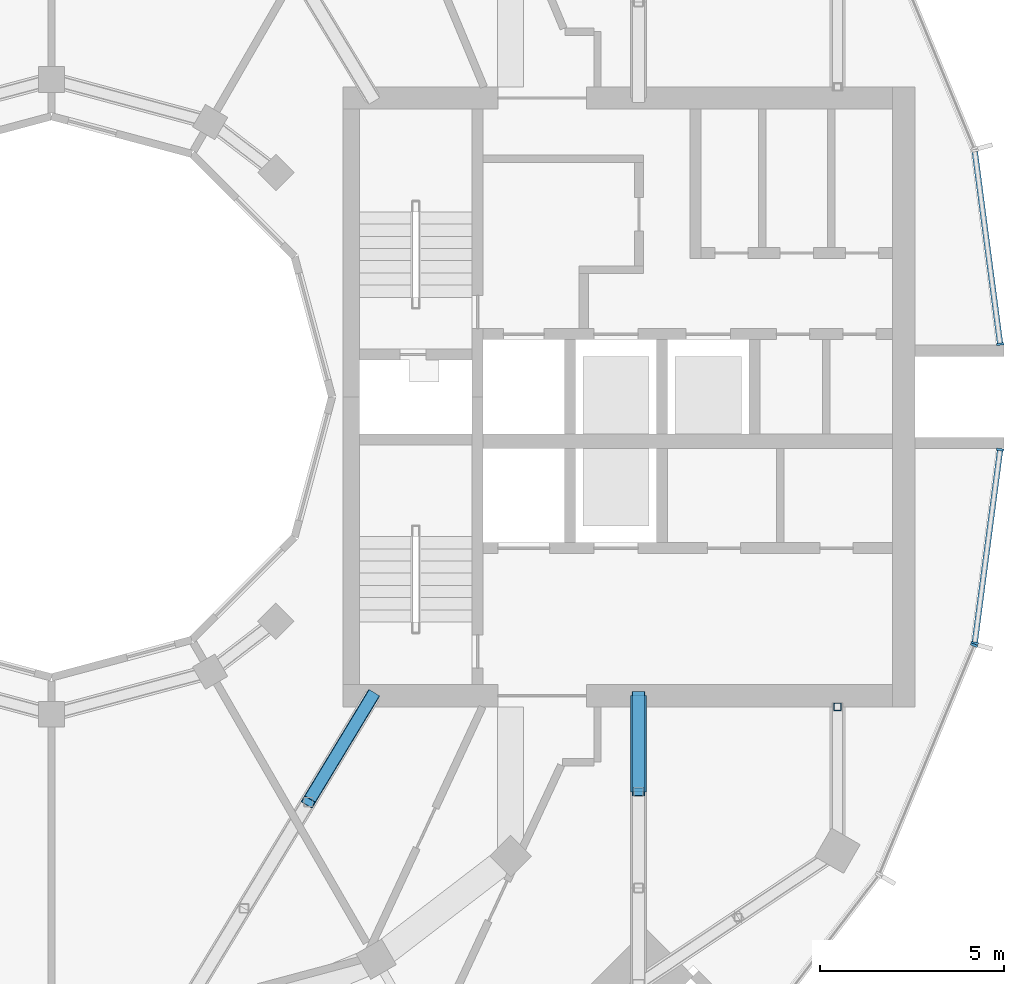
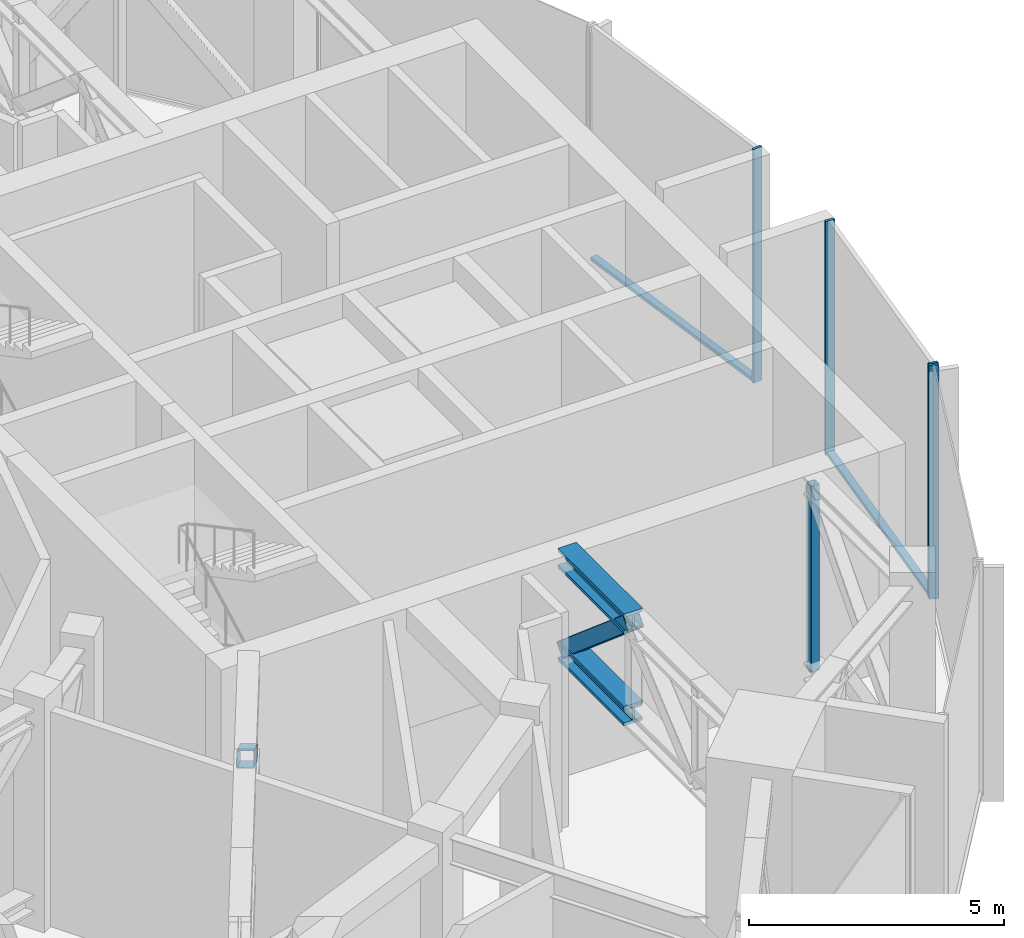
# One storey, part 6 of 18: 11 members, 3 elements without a shape of their own.
"""IFC4 building model written with IfcOpenShell, lengths in metres."""

from ifc_helpers import new_model, si_unit, direction, frame, origin, origin_2d, place, context, subcontext, project, spatial, rectangle, hollow_rectangle, i_section, extrude, material, layer, layer_set, material_profile, profile_set, type_object, element, aggregate, save


model = new_model("IFC4")

# Units and contexts
model_context = context("Model", 3, precision=1e-05, world=origin(), true_north=direction((0.0, 1.0)))
body_context = subcontext(model_context, "Body", "Model", "MODEL_VIEW")
ifc_project = project(units=[si_unit("LENGTHUNIT", "METRE"), si_unit("AREAUNIT", "SQUARE_METRE"), si_unit("VOLUMEUNIT", "CUBIC_METRE"), si_unit("PLANEANGLEUNIT", "RADIAN"), si_unit("MASSUNIT", "GRAM", prefix="KILO")], contexts=[model_context])

# Site, building, storey
site_placement = place(None, origin())
site = spatial("IfcSite", under=ifc_project, at=site_placement, CompositionType="ELEMENT")
building_placement = place(site_placement, origin())
building = spatial("IfcBuilding", under=site, at=building_placement, Name="Torre Brocal", CompositionType="ELEMENT")
storey_placement = place(building_placement, frame((0.0, 0.0, 206.89990234375)))
storey = spatial("IfcBuildingStorey", under=building, at=storey_placement, Name="L48", CompositionType="ELEMENT", Elevation=206.89990234375)

# Member
ifc_material_1 = material(Name="Steel A500 Grade C", Category="steel")
ifc_material_profile_1 = material_profile(ifc_material_1, hollow_rectangle(XDim=0.203125, YDim=0.203125, WallThickness=0.01171875, InnerFilletRadius=0.01171875, OuterFilletRadius=0.023681640625, at=origin_2d()), Name="HSS8X8X1/2")
ifc_profile_set_1 = profile_set([ifc_material_profile_1], Name="Steel A500 Grade C")
member_type_1 = type_object("IfcMemberType", Name="BELT 2 POST HSS8X8X1/2", PredefinedType="POST", material=ifc_profile_set_1)
member_1_placement = place(storey_placement, frame((101.30419921875, 66.60009765625, 0.6171875), z_axis=(0.0, 0.0, 1.0), x_axis=(1.0, 0.0, 0.0)))
element("IfcMember", 1, at=member_1_placement, inside=storey, type_object=member_type_1, Name="Member BT2-P19", PredefinedType="POST", context=body_context, shape_type="SweptSolid", body=[
    extrude(hollow_rectangle(XDim=0.203125, YDim=0.203125, WallThickness=0.01171875, InnerFilletRadius=0.01171875, OuterFilletRadius=0.023681640625, at=origin_2d()), origin(), (0.0, 0.0, 1.0), 4.44580078125),
])

# Curtain wall, member
ifc_material_2 = material(Name="Aluminium and glass", Category="aluminium")
ifc_layer_1 = layer(ifc_material_2, 0.199951171875)
ifc_layer_set_1 = layer_set([ifc_layer_1], Name="Aluminium and glass")
curtain_wall_type_1 = type_object("IfcCurtainWallType", Name="CW-1 CURTAIN WALL 5600 HIGH", PredefinedType="NOTDEFINED", material=ifc_layer_set_1)
curtain_wall_1_placement = place(storey_placement, origin())
curtain_wall_1 = element("IfcCurtainWall", 2, at=curtain_wall_1_placement, inside=storey, type_object=curtain_wall_type_1, Name="CW-1 RUN 23", PredefinedType="NOTDEFINED")
ifc_material_3 = material(Name="Aluminium, dark anodised", Category="aluminium")
ifc_material_profile_2 = material_profile(ifc_material_3, rectangle(XDim=0.199951171875, YDim=0.06005859375, at=origin_2d()), Name="CW-1 MULLION 60X200")
ifc_profile_set_2 = profile_set([ifc_material_profile_2], Name="Aluminium, dark anodised")
member_type_2 = type_object("IfcMemberType", Name="CW-1 MULLION 60X200", PredefinedType="MULLION", material=ifc_profile_set_2)
member_2_placement = place(storey_placement, frame((105.005126953125, 68.26904296875, 0.0), z_axis=(0.0, 0.0, 1.0), x_axis=(-0.923879532525, 0.382683432333, 0.0)))
member_2 = element("IfcMember", 3, at=member_2_placement, type_object=member_type_2, Name="CW1-2 mullion 2", PredefinedType="MULLION", context=body_context, shape_type="SweptSolid", body=[
    extrude(rectangle(XDim=0.199951171875, YDim=0.06005859375, at=origin_2d()), origin(), (0.0, 0.0, 1.0), 5.60009765625),
])
aggregate(curtain_wall_1, [member_2])

ifc_material_4 = material(Name="Aluminium and glass", Category="aluminium")
ifc_layer_2 = layer(ifc_material_4, 0.199951171875)
ifc_layer_set_2 = layer_set([ifc_layer_2], Name="Aluminium and glass")
curtain_wall_type_2 = type_object("IfcCurtainWallType", Name="CW-1B CURTAIN WALL 5600 HIGH", PredefinedType="NOTDEFINED", material=ifc_layer_set_2)
curtain_wall_2_placement = place(storey_placement, origin())
curtain_wall_2 = element("IfcCurtainWall", 4, at=curtain_wall_2_placement, inside=storey, type_object=curtain_wall_type_2, Name="CW-1B RUN 1", PredefinedType="NOTDEFINED")
ifc_material_5 = material(Name="Aluminium, dark anodised", Category="aluminium")
ifc_material_profile_3 = material_profile(ifc_material_5, rectangle(XDim=0.199951171875, YDim=0.06005859375, at=origin_2d()), Name="CW-1B MULLION 60X200")
ifc_profile_set_3 = profile_set([ifc_material_profile_3], Name="Aluminium, dark anodised")
member_type_3 = type_object("IfcMemberType", Name="CW-1B MULLION 60X200", PredefinedType="MULLION", material=ifc_profile_set_3)
member_3_placement = place(storey_placement, frame((105.7109375, 76.4296875, 0.0), z_axis=(0.0, 0.0, 1.0), x_axis=(-0.991444861374, -0.13052619222, 0.0)))
member_3 = element("IfcMember", 5, at=member_3_placement, type_object=member_type_3, Name="CW1B-2 mullion 1", PredefinedType="MULLION", context=body_context, shape_type="SweptSolid", body=[
    extrude(rectangle(XDim=0.199951171875, YDim=0.06005859375, at=origin_2d()), origin(), (0.0, 0.0, 1.0), 5.60009765625),
])

# Curtain wall, members
curtain_wall_3_placement = place(storey_placement, origin())
curtain_wall_3 = element("IfcCurtainWall", 6, at=curtain_wall_3_placement, inside=storey, type_object=curtain_wall_type_2, Name="CW-1B RUN 24", PredefinedType="NOTDEFINED")
member_4_placement = place(storey_placement, frame((105.0205078125, 68.32666015625, 0.0), z_axis=(0.0, 0.0, 1.0), x_axis=(-0.991444861374, 0.13052619222, 0.0)))
member_4 = element("IfcMember", 7, at=member_4_placement, type_object=member_type_3, Name="CW1B-2 mullion 1", PredefinedType="MULLION", context=body_context, shape_type="SweptSolid", body=[
    extrude(rectangle(XDim=0.199951171875, YDim=0.06005859375, at=origin_2d()), origin(), (0.0, 0.0, 1.0), 5.60009765625),
])
member_5_placement = place(storey_placement, frame((105.7109375, 73.5703125, 0.0), z_axis=(0.0, 0.0, 1.0), x_axis=(-0.991444861374, 0.13052619222, 0.0)))
member_5 = element("IfcMember", 8, at=member_5_placement, type_object=member_type_3, Name="CW1B-2 mullion 2", PredefinedType="MULLION", context=body_context, shape_type="SweptSolid", body=[
    extrude(rectangle(XDim=0.199951171875, YDim=0.06005859375, at=origin_2d()), origin(), (0.0, 0.0, 1.0), 5.60009765625),
])

# Member
ifc_material_6 = material(Name="Aluminium, dark anodised", Category="aluminium")
ifc_material_profile_4 = material_profile(ifc_material_6, rectangle(XDim=0.159912109375, YDim=0.080078125, at=origin_2d()), Name="CW-1B TRANSOM 160X80")
ifc_profile_set_4 = profile_set([ifc_material_profile_4], Name="Aluminium, dark anodised")
member_type_4 = type_object("IfcMemberType", Name="CW-1B TRANSOM 160X80", PredefinedType="USERDEFINED", material=ifc_profile_set_4)
member_6_placement = place(storey_placement, frame((105.70703125, 76.45947265625, 0.0400390625), z_axis=(-0.130542677827, 0.991442690863, 0.0), x_axis=(-0.991442690863, -0.130542677827, 0.0)))
member_6 = element("IfcMember", 9, at=member_6_placement, type_object=member_type_4, Name="CW1B-2 transom 1.1", ObjectType="TRANSOM", PredefinedType="USERDEFINED", context=body_context, shape_type="SweptSolid", body=[
    extrude(rectangle(XDim=0.159912109375, YDim=0.080078125, at=origin_2d()), origin(), (0.0, 0.0, 1.0), 5.22900390625),
])

aggregate(curtain_wall_2, [member_3, member_6])

member_7_placement = place(storey_placement, frame((105.0244140625, 68.356201171875, 0.0400390625), z_axis=(0.130542677827, 0.991442690863, 0.0), x_axis=(-0.991442690863, 0.130542677827, 0.0)))
member_7 = element("IfcMember", 10, at=member_7_placement, type_object=member_type_4, Name="CW1B-2 transom 1.1", ObjectType="TRANSOM", PredefinedType="USERDEFINED", context=body_context, shape_type="SweptSolid", body=[
    extrude(rectangle(XDim=0.159912109375, YDim=0.080078125, at=origin_2d()), origin(), (0.0, 0.0, 1.0), 5.22900390625),
])

aggregate(curtain_wall_3, [member_4, member_5, member_7])

# Members
ifc_material_7 = material(Name="Steel A992", Category="steel")
ifc_material_profile_5 = material_profile(ifc_material_7, i_section(OverallWidth=0.421630859375, OverallDepth=0.46484375, WebThickness=0.044921875, FlangeThickness=0.072509765625, at=origin_2d()), Name="W14X398")
ifc_profile_set_5 = profile_set([ifc_material_profile_5], Name="Steel A992")
member_type_5 = type_object("IfcMemberType", Name="TRUSS BOTTOM CHORD W14X398", PredefinedType="CHORD", material=ifc_profile_set_5)
member_8_placement = place(storey_placement, frame((95.909912109375, 66.89990234375, 2.83251953125), z_axis=(0.0, -1.0, 0.0), x_axis=(1.0, 0.0, 0.0)))
element("IfcMember", 11, at=member_8_placement, inside=storey, type_object=member_type_5, Name="Member OT2-C60", PredefinedType="CHORD", context=body_context, shape_type="SweptSolid", body=[
    extrude(i_section(OverallWidth=0.421630859375, OverallDepth=0.46484375, WebThickness=0.044921875, FlangeThickness=0.072509765625, at=origin_2d()), origin(), (0.0, 0.0, 1.0), 2.603271484375),
])
ifc_material_8 = material(Name="Steel A500 Grade C", Category="steel")
ifc_material_profile_6 = material_profile(ifc_material_8, hollow_rectangle(XDim=0.355712890625, YDim=0.355712890625, WallThickness=0.014892578125, InnerFilletRadius=0.014892578125, OuterFilletRadius=0.029541015625, at=origin_2d()), Name="HSS14X14X5/8")
ifc_profile_set_6 = profile_set([ifc_material_profile_6], Name="Steel A500 Grade C")
member_type_6 = type_object("IfcMemberType", Name="TRUSS DIAGONAL HSS14X14X5/8", PredefinedType="BRACE", material=ifc_profile_set_6)
member_9_placement = place(storey_placement, frame((88.699951171875, 66.89990234375, 2.848876953125), z_axis=(-0.433859584618, -0.718087226063, 0.544165964206), x_axis=(0.855907513042, -0.517128928912, 0.0)))
element("IfcMember", 12, at=member_9_placement, inside=storey, type_object=member_type_6, Name="Member OT2-D20", PredefinedType="BRACE", context=body_context, shape_type="SweptSolid", body=[
    extrude(hollow_rectangle(XDim=0.355712890625, YDim=0.355712890625, WallThickness=0.014892578125, InnerFilletRadius=0.014892578125, OuterFilletRadius=0.029541015625, at=origin_2d()), origin(), (0.0, 0.0, 1.0), 4.010498046875),
])
member_10_placement = place(storey_placement, frame((95.909912109375, 66.89990234375, 2.83251953125), z_axis=(0.0, -0.761606141617, 0.648040187836), x_axis=(1.0, 0.0, 0.0)))
element("IfcMember", 13, at=member_10_placement, inside=storey, type_object=member_type_6, Name="Member OT2-D30", PredefinedType="BRACE", context=body_context, shape_type="SweptSolid", body=[
    extrude(hollow_rectangle(XDim=0.355712890625, YDim=0.355712890625, WallThickness=0.014892578125, InnerFilletRadius=0.014892578125, OuterFilletRadius=0.029541015625, at=origin_2d()), origin(), (0.0, 0.0, 1.0), 3.418212890625),
])
ifc_material_9 = material(Name="Steel A992", Category="steel")
ifc_material_profile_7 = material_profile(ifc_material_9, i_section(OverallWidth=0.421630859375, OverallDepth=0.46484375, WebThickness=0.044921875, FlangeThickness=0.072509765625, at=origin_2d()), Name="W14X398")
ifc_profile_set_7 = profile_set([ifc_material_profile_7], Name="Steel A992")
member_type_7 = type_object("IfcMemberType", Name="TRUSS TOP CHORD W14X398", PredefinedType="CHORD", material=ifc_profile_set_7)
member_11_placement = place(storey_placement, frame((95.909912109375, 66.89990234375, 5.047607421875), z_axis=(0.0, -1.0, 0.0), x_axis=(1.0, 0.0, 0.0)))
element("IfcMember", 14, at=member_11_placement, inside=storey, type_object=member_type_7, Name="Member OT2-C59", PredefinedType="CHORD", context=body_context, shape_type="SweptSolid", body=[
    extrude(i_section(OverallWidth=0.421630859375, OverallDepth=0.46484375, WebThickness=0.044921875, FlangeThickness=0.072509765625, at=origin_2d()), origin(), (0.0, 0.0, 1.0), 2.603271484375),
])

save(model, "model.ifc")
